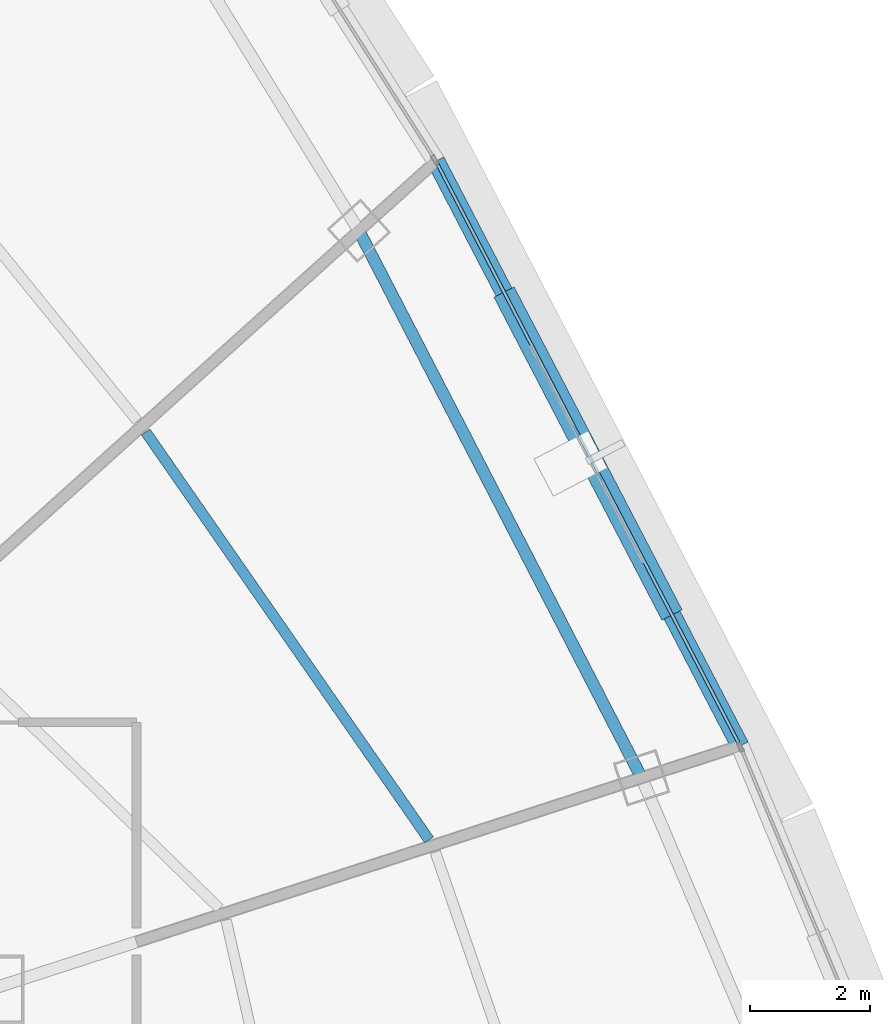
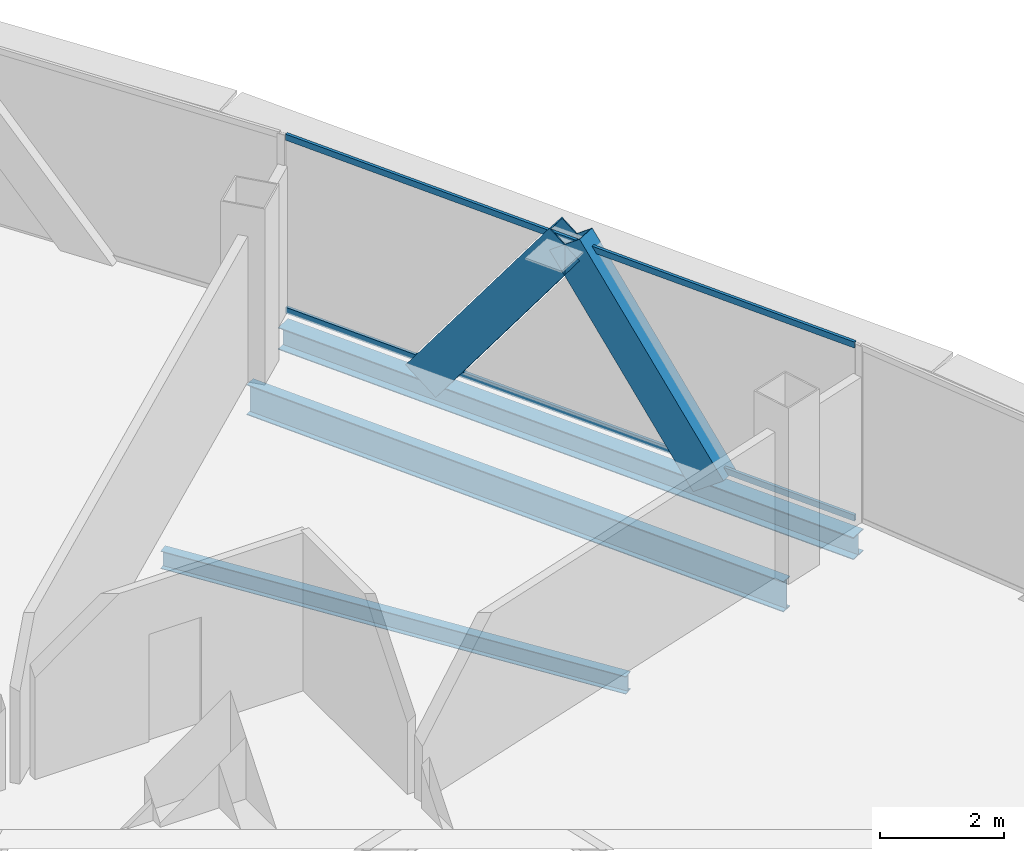
# One storey, part 17 of 33: 4 members, 3 beams, 1 element without a shape of its own.
"""IFC4 building model written with IfcOpenShell, lengths in metres."""

import ifcopenshell
import ifcopenshell.guid

model = None  # the IFC model being written
_history = None  # IfcOwnerHistory: only IFC2X3 demands one
_inside = {}  # id of a spatial element -> (the spatial element, [elements in it])
_under = {}  # id of a project, library or spatial element -> (it, [spatial elements below it])
_declared = {}  # id of a project -> (the project, [libraries it declares])
_typed = {}  # id of a type object -> (the type object, [elements of that type])
_made_of = {}  # id of a material, layer set ... -> (it, [elements and type objects made of it])


def new_model(schema):
    """Start an empty IFC model of exactly this schema.

    Asked for "IFC4X3", IfcOpenShell would pick the latest addendum, in which some entities
    have other attributes; the version numbers below select the first issue.
    IFC2X3 requires an IfcOwnerHistory on every rooted entity: one is made here for all.
    """
    global model, _history
    if schema == "IFC4X3":
        model = ifcopenshell.file(schema_version=(4, 3, 0, 0))
    else:
        model = ifcopenshell.file(schema=schema)
    _inside.clear()
    _under.clear()
    _declared.clear()
    _typed.clear()
    _made_of.clear()
    _history = None
    if model.schema == "IFC2X3":
        org = make("IfcOrganization", Name="unknown")
        user = make(
            "IfcPersonAndOrganization",
            ThePerson=make("IfcPerson", FamilyName="unknown"),
            TheOrganization=org,
        )
        app = make(
            "IfcApplication",
            ApplicationDeveloper=org,
            Version="unknown",
            ApplicationFullName="unknown",
            ApplicationIdentifier="unknown",
        )
        _history = make(
            "IfcOwnerHistory",
            OwningUser=user,
            OwningApplication=app,
            ChangeAction="ADDED",
            CreationDate=0,
        )
    return model


def make(cls, **values):
    """One entity of the class cls with the attributes given. An attribute that is None is left unset."""
    return model.create_entity(
        cls, **{name: value for name, value in values.items() if value is not None}
    )


def rooted(cls, **values):
    """An entity with a GlobalId (a new one), such as an element, a storey or a relation."""
    return make(cls, GlobalId=ifcopenshell.guid.new(), OwnerHistory=_history, **values)


def si_unit(unit_type, name, prefix=None):
    """IfcSIUnit, for example si_unit("LENGTHUNIT", "METRE", prefix="MILLI")."""
    return make("IfcSIUnit", UnitType=unit_type, Prefix=prefix, Name=name)


def assignment(units):
    """IfcUnitAssignment: the units of a project."""
    return None if units is None else make("IfcUnitAssignment", Units=units)


def point(xyz):
    """IfcCartesianPoint."""
    return None if xyz is None else make("IfcCartesianPoint", Coordinates=xyz)


def direction(xyz):
    """IfcDirection."""
    return None if xyz is None else make("IfcDirection", DirectionRatios=xyz)


def frame(location, z_axis=None, x_axis=None):
    """IfcAxis2Placement3D, a coordinate frame: its origin and axes. An axis left out is left unset."""
    return make(
        "IfcAxis2Placement3D",
        Location=point(location),
        Axis=direction(z_axis),
        RefDirection=direction(x_axis),
    )


def frame_2d(location, x_axis=None):
    """IfcAxis2Placement2D, a coordinate frame in the plane: its origin and x axis."""
    return make(
        "IfcAxis2Placement2D", Location=point(location), RefDirection=direction(x_axis)
    )


def origin():
    """The frame at (0, 0, 0) with its axes left unset."""
    return frame((0.0, 0.0, 0.0))


def origin_2d():
    """The frame at (0, 0) in the plane with its x axis left unset."""
    return frame_2d((0.0, 0.0))


def place(relative_to, where):
    """IfcLocalPlacement: puts the frame where relative to a parent placement (None: the world)."""
    return make(
        "IfcLocalPlacement", PlacementRelTo=relative_to, RelativePlacement=where
    )


def context(
    kind, dimensions, precision=None, world=None, true_north=None, identifier=None
):
    """IfcGeometricRepresentationContext, for example the 3D "Model" context."""
    return make(
        "IfcGeometricRepresentationContext",
        ContextIdentifier=identifier,
        ContextType=kind,
        CoordinateSpaceDimension=dimensions,
        Precision=precision,
        WorldCoordinateSystem=world,
        TrueNorth=true_north,
    )


def subcontext(parent, identifier, kind, view, scale=None):
    """IfcGeometricRepresentationSubContext, for example "Body" below "Model"."""
    return make(
        "IfcGeometricRepresentationSubContext",
        ContextIdentifier=identifier,
        ContextType=kind,
        ParentContext=parent,
        TargetScale=scale,
        TargetView=view,
    )


def project(units=None, contexts=None):
    """IfcProject with its units and contexts."""
    return rooted(
        "IfcProject",
        Name="project",
        RepresentationContexts=contexts,
        UnitsInContext=assignment(units),
    )


def spatial(cls, under=None, at=None, **own):
    """A site, building, storey or space (cls), placed at a placement, below another one or the project."""
    s = rooted(cls, ObjectPlacement=at, **own)
    if under is not None:
        _under.setdefault(under.id(), (under, []))[1].append(s)
    return s


def profile(cls, at=None, kind="AREA", **sizes):
    """A parametric profile (cls). Its sizes go by their IFC names, for example OverallWidth=200.0."""
    return make(cls, ProfileType=kind, Position=at, **sizes)


def hollow_rectangle(**sizes):
    """IfcRectangleHollowProfileDef."""
    return profile("IfcRectangleHollowProfileDef", **sizes)


def i_section(**sizes):
    """IfcIShapeProfileDef."""
    return profile("IfcIShapeProfileDef", **sizes)


def extrude(swept, where, along, depth):
    """IfcExtrudedAreaSolid: the profile swept, set in the frame where, extruded along a direction by depth."""
    return make(
        "IfcExtrudedAreaSolid",
        SweptArea=swept,
        Position=where,
        ExtrudedDirection=direction(along),
        Depth=depth,
    )


def shape(context_of_items, identifier, shape_type, items):
    """IfcShapeRepresentation: the items that make up one representation, for example the "Body"."""
    return make(
        "IfcShapeRepresentation",
        ContextOfItems=context_of_items,
        RepresentationIdentifier=identifier,
        RepresentationType=shape_type,
        Items=items,
    )


def source(mapping_origin, context_of_items, identifier, shape_type, items):
    """IfcRepresentationMap: a shape defined once, which mapped items show again and again."""
    return make(
        "IfcRepresentationMap",
        MappingOrigin=mapping_origin,
        MappedRepresentation=shape(context_of_items, identifier, shape_type, items),
    )


def transform(
    local_origin,
    x_axis=None,
    y_axis=None,
    z_axis=None,
    scale=None,
    scale2=None,
    scale3=None,
    uniform=True,
):
    """IfcCartesianTransformationOperator3D, or its non-uniform kind. x_axis, y_axis, z_axis: its Axis1, 2, 3."""
    if uniform:
        return make(
            "IfcCartesianTransformationOperator3D",
            Axis1=direction(x_axis),
            Axis2=direction(y_axis),
            LocalOrigin=point(local_origin),
            Scale=scale,
            Axis3=direction(z_axis),
        )
    return make(
        "IfcCartesianTransformationOperator3DnonUniform",
        Axis1=direction(x_axis),
        Axis2=direction(y_axis),
        LocalOrigin=point(local_origin),
        Scale=scale,
        Axis3=direction(z_axis),
        Scale2=scale2,
        Scale3=scale3,
    )


def mapped(mapping_source, mapping_target):
    """IfcMappedItem: shows the shape of a source again, moved by a transform."""
    return make(
        "IfcMappedItem", MappingSource=mapping_source, MappingTarget=mapping_target
    )


def material(Name=None, Category=None):
    """IfcMaterial."""
    return make("IfcMaterial", Name=Name, Category=Category)


def layer(
    of_material, thickness, ventilated=None, Name=None, Category=None, Priority=None
):
    """IfcMaterialLayer: one layer of a wall or slab, of a material (None: an air gap)."""
    return make(
        "IfcMaterialLayer",
        Material=of_material,
        LayerThickness=thickness,
        IsVentilated=ventilated,
        Name=Name,
        Category=Category,
        Priority=Priority,
    )


def layer_set(layers, Name=None):
    """IfcMaterialLayerSet."""
    return make("IfcMaterialLayerSet", MaterialLayers=layers, LayerSetName=Name)


def material_profile(
    of_material, cross_section, Name=None, Category=None, Priority=None
):
    """IfcMaterialProfile: a cross section and its material."""
    return make(
        "IfcMaterialProfile",
        Name=Name,
        Material=of_material,
        Profile=cross_section,
        Priority=Priority,
        Category=Category,
    )


def profile_set(profiles, Name=None, composite=None):
    """IfcMaterialProfileSet."""
    return make(
        "IfcMaterialProfileSet",
        Name=Name,
        MaterialProfiles=profiles,
        CompositeProfile=composite,
    )


def made_of(thing, what):
    """Note that an element or type object is made of a material, layer set ...; save() writes the relation."""
    if what is not None:
        _made_of.setdefault(what.id(), (what, []))[1].append(thing)
    return thing


def type_object(cls, material=None, **own):
    """A type object (cls), such as IfcWallType, which elements share."""
    return made_of(rooted(cls, **own), material)


def element(
    cls,
    number,
    at=None,
    inside=None,
    cuts=None,
    type_object=None,
    material=None,
    context=None,
    identifier="Body",
    shape_type=None,
    held_by="IfcProductDefinitionShape",
    body=None,
    shapes=None,
    **own,
):
    """One element of the class cls, such as IfcWall. Its Tag is "e" and its number.

    at: its placement. inside: the storey or other place that contains it. cuts: it is an
    opening in that element (IfcRelVoidsElement). A single representation is given by context,
    identifier, shape_type and body (its items); several are given by shapes. held_by: the class
    of the entity that holds the representations. save() writes the other relations.
    """
    e = rooted(cls, Tag="e%d" % number, ObjectPlacement=at, **own)
    if body is not None:
        shapes = [shape(context, identifier, shape_type, body)]
    if shapes is not None:
        e.Representation = make(held_by, Representations=shapes)
    if inside is not None:
        _inside.setdefault(inside.id(), (inside, []))[1].append(e)
    if cuts is not None:
        rooted(
            "IfcRelVoidsElement", RelatingBuildingElement=cuts, RelatedOpeningElement=e
        )
    if type_object is not None:
        _typed.setdefault(type_object.id(), (type_object, []))[1].append(e)
    return made_of(e, material)


def aggregate(whole, parts):
    """IfcRelAggregates: a whole, such as a stair, and the parts it consists of."""
    return rooted("IfcRelAggregates", RelatingObject=whole, RelatedObjects=parts)


def save(model, path):
    """Write the relations noted so far, then the file.

    IfcRelAggregates (storeys below a building ...), IfcRelContainedInSpatialStructure (elements
    in a storey), IfcRelDefinesByType, IfcRelAssociatesMaterial and IfcRelDeclares: one each for
    every whole, place, type object, material and project.
    """
    for whole, parts in _under.values():
        aggregate(whole, parts)
    for where, things in _inside.values():
        rooted(
            "IfcRelContainedInSpatialStructure",
            RelatedElements=things,
            RelatingStructure=where,
        )
    for kind, things in _typed.values():
        rooted("IfcRelDefinesByType", RelatedObjects=things, RelatingType=kind)
    for what, things in _made_of.values():
        rooted("IfcRelAssociatesMaterial", RelatedObjects=things, RelatingMaterial=what)
    for by, libraries in _declared.values():
        rooted("IfcRelDeclares", RelatingContext=by, RelatedDefinitions=libraries)
    model.write(path)


model = new_model("IFC4")

# Units and contexts
model_context = context("Model", 3, precision=1e-05, world=origin(), true_north=direction((0.0, 1.0)))
body_context = subcontext(model_context, "Body", "Model", "MODEL_VIEW")
ifc_project = project(units=[si_unit("LENGTHUNIT", "METRE"), si_unit("AREAUNIT", "SQUARE_METRE"), si_unit("VOLUMEUNIT", "CUBIC_METRE"), si_unit("PLANEANGLEUNIT", "RADIAN"), si_unit("MASSUNIT", "GRAM", prefix="KILO"), si_unit("THERMODYNAMICTEMPERATUREUNIT", "KELVIN"), si_unit("POWERUNIT", "WATT")], contexts=[model_context])

# Site, building, storey
site_placement = place(None, origin())
site = spatial("IfcSite", under=ifc_project, at=site_placement, CompositionType="ELEMENT")
building_placement = place(site_placement, origin())
building = spatial("IfcBuilding", under=site, at=building_placement, Name="Yunzhuo Pagoda Commons", CompositionType="ELEMENT")
storey_placement = place(building_placement, frame((0.0, 0.0, 307.39990234375)))
storey = spatial("IfcBuildingStorey", under=building, at=storey_placement, Name="L77", CompositionType="ELEMENT", Elevation=307.39990234375)

# Beams
ifc_material_1 = material(Name="Structural steel Q355B", Category="steel")
ifc_material_profile_1 = material_profile(ifc_material_1, i_section(OverallWidth=0.199951171875, OverallDepth=0.60009765625, WebThickness=0.010986328125, FlangeThickness=0.01708984375, at=origin_2d()), Name="Structural steel Q355B")
ifc_profile_set_1 = profile_set([ifc_material_profile_1], Name="Structural steel Q355B")
beam_type_1 = type_object("IfcBeamType", Name="B-RG3 Beam HN 600x200x11x17", PredefinedType="BEAM", material=ifc_profile_set_1)
shared_shape_1 = source(origin(), body_context, "Body", "SweptSolid", [
    extrude(i_section(OverallWidth=0.199951171875, OverallDepth=0.60009765625, WebThickness=0.010986328125, FlangeThickness=0.01708984375, at=origin_2d()), origin(), (0.0, 0.0, 1.0), 10.3017578125),
])
beam_1_placement = place(storey_placement, frame((71.302490234375, 41.271484375, -0.559814453125), z_axis=(-0.459070867827, 0.888399650108, 0.0), x_axis=(-0.888399650108, -0.459070867827, 0.0)))
element("IfcBeam", 1, at=beam_1_placement, inside=storey, type_object=beam_type_1, Name="L77 column-ring beam 6", PredefinedType="BEAM", context=body_context, shape_type="MappedRepresentation", body=[
    mapped(shared_shape_1, transform((0.0, 0.0, 0.0), scale=1.0)),
])
ifc_material_profile_2 = material_profile(ifc_material_1, i_section(OverallWidth=0.175048828125, OverallDepth=0.35009765625, WebThickness=0.007080078125, FlangeThickness=0.010986328125, at=origin_2d()), Name="Structural steel Q355B")
ifc_profile_set_2 = profile_set([ifc_material_profile_2], Name="Structural steel Q355B")
beam_type_2 = type_object("IfcBeamType", Name="B-JS2 Joist HN 350x175x7x11", PredefinedType="JOIST", material=ifc_profile_set_2)
shared_shape_2 = source(origin(), body_context, "Body", "SweptSolid", [
    extrude(i_section(OverallWidth=0.175048828125, OverallDepth=0.35009765625, WebThickness=0.007080078125, FlangeThickness=0.010986328125, at=origin_2d()), origin(), (0.0, 0.0, 1.0), 8.31103515625),
])
beam_2_placement = place(storey_placement, frame((67.748046875, 40.232421875, -0.434814453125), z_axis=(-0.570615989364, 0.821217019236, 0.0), x_axis=(-0.821217019236, -0.570615989364, 0.0)))
element("IfcBeam", 2, at=beam_2_placement, inside=storey, type_object=beam_type_2, Name="L77 composite ring joist 2.6", PredefinedType="JOIST", context=body_context, shape_type="MappedRepresentation", body=[
    mapped(shared_shape_2, transform((0.0, 0.0, 0.0), scale=1.0)),
])
ifc_material_profile_3 = material_profile(ifc_material_1, i_section(OverallWidth=0.300048828125, OverallDepth=0.43994140625, WebThickness=0.010986328125, FlangeThickness=0.01806640625, at=origin_2d()), Name="Structural steel Q355B")
ifc_profile_set_3 = profile_set([ifc_material_profile_3], Name="Structural steel Q355B")
beam_type_3 = type_object("IfcBeamType", Name="B-SP2 Beam HM 440x300x11x18", PredefinedType="BEAM", material=ifc_profile_set_3)
shared_shape_3 = source(origin(), body_context, "Body", "SweptSolid", [
    extrude(i_section(OverallWidth=0.300048828125, OverallDepth=0.43994140625, WebThickness=0.010986328125, FlangeThickness=0.01806640625, at=origin_2d()), origin(), (0.0, 0.0, 1.0), 11.022216796875),
])
beam_3_placement = place(storey_placement, frame((72.949951171875, 41.806640625, -0.47998046875), z_axis=(-0.461491516084, 0.887144622135, 0.0), x_axis=(-0.887144622135, -0.461491516084, 0.0)))
element("IfcBeam", 3, at=beam_3_placement, inside=storey, type_object=beam_type_3, Name="L77 facade edge spandrel beam F2.2", PredefinedType="BEAM", context=body_context, shape_type="MappedRepresentation", body=[
    mapped(shared_shape_3, transform((0.0, 0.0, 0.0), scale=1.0)),
])

# Members
ifc_material_profile_4 = material_profile(ifc_material_1, hollow_rectangle(XDim=0.3798828125, YDim=0.719970703125, WallThickness=0.02001953125, at=origin_2d()), Name="Structural steel Q355B")
ifc_profile_set_4 = profile_set([ifc_material_profile_4], Name="Structural steel Q355B")
member_type_1 = type_object("IfcMemberType", Name="M-DL3 Brace BOX 720x380x20", PredefinedType="BRACE", material=ifc_profile_set_4)
shared_shape_4 = source(origin(), body_context, "Body", "SweptSolid", [
    extrude(hollow_rectangle(XDim=0.3798828125, YDim=0.719970703125, WallThickness=0.02001953125, at=origin_2d()), origin(), (0.0, 0.0, 1.0), 4.6376953125),
])
for number, where, z_axis, x_axis, name in (
    (4, (71.67822265625, 44.251220703125, -0.260009765625), (-0.274218027621, 0.527115590433, 0.804334276063), (-0.887135553704, -0.461508948292, 0.0), "L77 facade diamond brace F2.2L"),
    (5, (69.135009765625, 49.140380859375, -0.260009765625), (0.274169341971, -0.527123199146, 0.804345886323), (0.887171826483, 0.461439216251, 0.0), "L77 facade diamond brace F2.2R"),
):
    element("IfcMember", number, at=place(storey_placement, frame(where, z_axis=z_axis, x_axis=x_axis)), inside=storey, type_object=member_type_1, Name=name, PredefinedType="BRACE", context=body_context, shape_type="MappedRepresentation", body=[
        mapped(shared_shape_4, transform((0.0, 0.0, 0.0), scale=1.0)),
    ])

# Curtain wall, members
ifc_material_2 = material(Name="Anodized aluminium 6063-T6", Category="aluminium")
ifc_layer = layer(ifc_material_2, 0.139892578125)
ifc_layer_set = layer_set([ifc_layer], Name="Anodized aluminium 6063-T6")
curtain_wall_type = type_object("IfcCurtainWallType", Name="CW-HI High-Zone Ribbon Curtain Wall", PredefinedType="NOTDEFINED", material=ifc_layer_set)
curtain_wall_placement = place(storey_placement, origin())
curtain_wall = element("IfcCurtainWall", 6, at=curtain_wall_placement, inside=storey, type_object=curtain_wall_type, Name="L77 curtain wall CW-L77-F2B3", PredefinedType="NOTDEFINED")
ifc_material_profile_5 = material_profile(ifc_material_2, hollow_rectangle(XDim=0.054931640625, YDim=0.1201171875, WallThickness=0.00341796875, at=origin_2d()), Name="Anodized aluminium 6063-T6")
ifc_profile_set_5 = profile_set([ifc_material_profile_5], Name="Anodized aluminium 6063-T6")
member_type_2 = type_object("IfcMemberType", Name="CW-HI-T Transom RHS 120x55x3.5", PredefinedType="USERDEFINED", material=ifc_profile_set_5)
shared_shape_5 = source(origin(), body_context, "Body", "SweptSolid", [
    extrude(hollow_rectangle(XDim=0.054931640625, YDim=0.1201171875, WallThickness=0.00341796875, at=origin_2d()), origin(), (0.0, 0.0, 1.0), 10.90234375),
])
member_1_placement = place(storey_placement, frame((72.92236328125, 41.85986328125, 0.027587890625), z_axis=(-0.461505732597, 0.887137226578, 0.0), x_axis=(-0.887137226578, -0.461505732597, 0.0)))
member_1 = element("IfcMember", 7, at=member_1_placement, type_object=member_type_2, Name="CW transom 1.1", ObjectType="TRANSOM", PredefinedType="USERDEFINED", context=body_context, shape_type="MappedRepresentation", body=[
    mapped(shared_shape_5, transform((0.0, 0.0, 0.0), scale=1.0)),
])
member_2_placement = place(storey_placement, frame((72.92236328125, 41.85986328125, 3.442626953125), z_axis=(-0.461505732597, 0.887137226578, 0.0), x_axis=(-0.887137226578, -0.461505732597, 0.0)))
member_2 = element("IfcMember", 8, at=member_2_placement, type_object=member_type_2, Name="CW transom 1.2", ObjectType="TRANSOM", PredefinedType="USERDEFINED", context=body_context, shape_type="MappedRepresentation", body=[
    mapped(shared_shape_5, transform((0.0, 0.0, 0.0), scale=1.0)),
])
aggregate(curtain_wall, [member_1, member_2])

save(model, "model.ifc")
